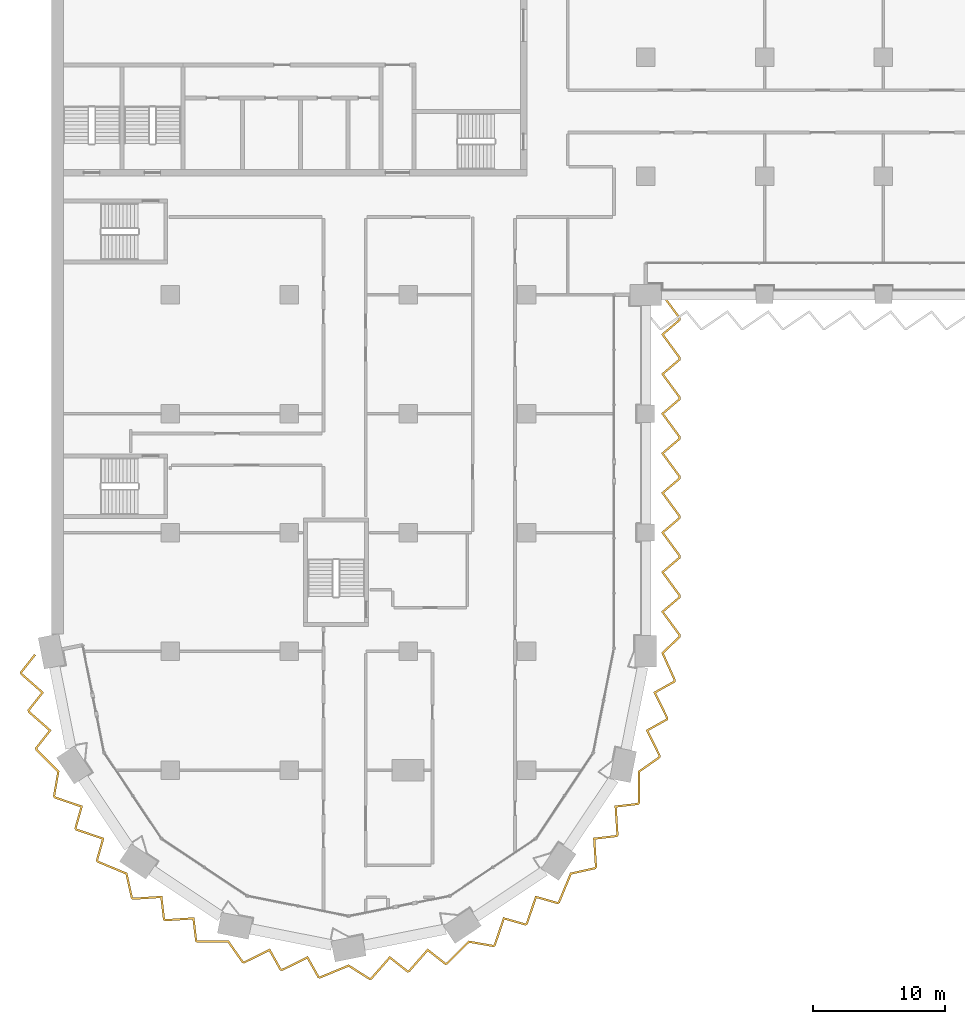
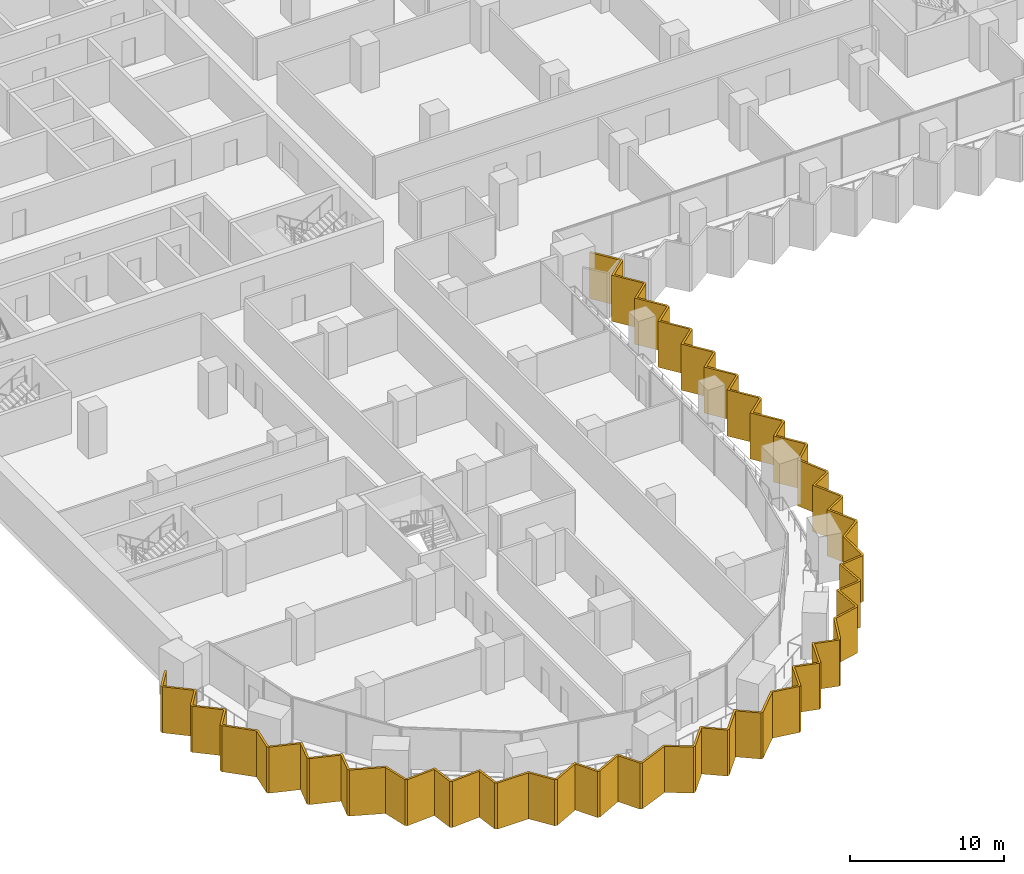
# One storey, part 23 of 28: 1 shading device.
"""IFC4 building model written with IfcOpenShell, lengths in metres."""

from ifc_helpers import new_model, si_unit, direction, frame, origin, place, context, subcontext, project, spatial, polyline, outline, extrude, material, layer, layer_set, type_object, element, save


model = new_model("IFC4")

# Units and contexts
model_context = context("Model", 3, precision=1e-05, world=origin(), true_north=direction((0.0, 1.0)))
body_context = subcontext(model_context, "Body", "Model", "MODEL_VIEW")
ifc_project = project(units=[si_unit("LENGTHUNIT", "METRE"), si_unit("AREAUNIT", "SQUARE_METRE"), si_unit("VOLUMEUNIT", "CUBIC_METRE"), si_unit("PLANEANGLEUNIT", "RADIAN"), si_unit("MASSUNIT", "GRAM", prefix="KILO")], contexts=[model_context])

# Site, building, storey
site_placement = place(None, origin())
site = spatial("IfcSite", under=ifc_project, at=site_placement, CompositionType="ELEMENT")
building_placement = place(site_placement, origin())
building = spatial("IfcBuilding", under=site, at=building_placement, Name="Hunhe Ridgeline Campus", CompositionType="ELEMENT")
storey_placement = place(building_placement, frame((0.0, 0.0, 58.0)))
storey = spatial("IfcBuildingStorey", under=building, at=storey_placement, Name="L13", CompositionType="ELEMENT", Elevation=58.0)

# Shading device
ifc_material = material(Name="Concrete C50", Category="concrete")
ifc_layer = layer(ifc_material, 0.14990234375)
ifc_layer_set = layer_set([ifc_layer], Name="Sawtooth concrete fin 150 Concrete C50")
shading_device_type = type_object("IfcShadingDeviceType", Name="Sawtooth concrete fin 150 Concrete C50", PredefinedType="USERDEFINED", material=ifc_layer_set)
shading_device_placement = place(storey_placement, frame((0.0, 0.0, -0.949951171875)))
element("IfcShadingDevice", 1, at=shading_device_placement, inside=storey, type_object=shading_device_type, Name="Concrete fin screen 1", ObjectType="FIN", PredefinedType="USERDEFINED", context=body_context, shape_type="SweptSolid", body=[
    extrude(outline(polyline([(-1.191650390625, 26.704833984375), (-1.309326171875, 26.797607421875), (-2.389404296875, 25.428955078125), (-2.354248046875, 25.25244140625), (-0.782470703125, 23.871826171875), (-1.818603515625, 22.558837890625), (-1.783447265625, 22.38232421875), (-0.211669921875, 21.001708984375), (-1.24755859375, 19.688720703125), (-1.213134765625, 19.514892578125), (0.43115234375, 17.86669921875), (0.10888671875, 16.02001953125), (0.206298828125, 15.8740234375), (2.186767578125, 15.199951171875), (1.732177734375, 13.590576171875), (1.832275390625, 13.44091796875), (3.812744140625, 12.766845703125), (3.35791015625, 11.157470703125), (3.45654296875, 11.010009765625), (5.606201171875, 10.116455078125), (6.01513671875, 8.287109375), (6.1611328125, 8.189697265625), (8.248779296875, 8.32470703125), (8.444580078125, 6.663818359375), (8.59423828125, 6.563720703125), (10.681884765625, 6.698974609375), (10.877685546875, 5.0380859375), (11.025146484375, 4.939453125), (13.353271484375, 4.936767578125), (14.43115234375, 3.403076171875), (14.603271484375, 3.368896484375), (16.480224609375, 4.29248046875), (17.296875, 2.8330078125), (17.473388671875, 2.7978515625), (19.350341796875, 3.7216796875), (20.1669921875, 2.26220703125), (20.3408203125, 2.2275390625), (22.49267578125, 3.115966796875), (24.075439453125, 2.111572265625), (24.24755859375, 2.145751953125), (25.628173828125, 3.717529296875), (26.941162109375, 2.681396484375), (27.11767578125, 2.716552734375), (28.498291015625, 4.288330078125), (29.811279296875, 3.25244140625), (29.985107421875, 3.286865234375), (31.63330078125, 4.93115234375), (33.47998046875, 4.60888671875), (33.6259765625, 4.706298828125), (34.300048828125, 6.686767578125), (35.909423828125, 6.232177734375), (36.05908203125, 6.332275390625), (36.733154296875, 8.312744140625), (38.342529296875, 7.85791015625), (38.489990234375, 7.95654296875), (39.383544921875, 10.106201171875), (41.212890625, 10.51513671875), (41.310302734375, 10.6611328125), (41.17529296875, 12.748779296875), (42.836181640625, 12.944580078125), (42.936279296875, 13.09423828125), (42.801025390625, 15.181884765625), (44.4619140625, 15.377685546875), (44.560546875, 15.525146484375), (44.563232421875, 17.853271484375), (46.096923828125, 18.93115234375), (46.131103515625, 19.103271484375), (45.20751953125, 20.980224609375), (46.6669921875, 21.796875), (46.7021484375, 21.973388671875), (45.7783203125, 23.850341796875), (47.23779296875, 24.6669921875), (47.272705078125, 24.842041015625), (46.365234375, 26.856689453125), (47.64990234375, 28.0771484375), (47.64990234375, 28.25390625), (46.376708984375, 29.98828125), (47.64990234375, 31.07470703125), (47.64990234375, 31.25390625), (46.376708984375, 32.98828125), (47.64990234375, 34.07470703125), (47.64990234375, 34.25390625), (46.376708984375, 35.98828125), (47.64990234375, 37.07470703125), (47.64990234375, 37.25390625), (46.376708984375, 38.98828125), (47.64990234375, 40.07470703125), (47.64990234375, 40.25390625), (46.376708984375, 41.98828125), (47.64990234375, 43.07470703125), (47.64990234375, 43.25390625), (46.376708984375, 44.98828125), (47.64990234375, 46.07470703125), (47.64990234375, 46.25390625), (46.376708984375, 47.98828125), (47.64990234375, 49.07470703125), (47.64990234375, 49.25390625), (46.376708984375, 50.98828125), (47.64990234375, 52.07470703125), (47.64990234375, 52.25390625), (46.33544921875, 54.04443359375), (46.214599609375, 53.95556640625), (47.5, 52.204833984375), (47.5, 52.143798828125), (46.17333984375, 51.01171875), (47.5, 49.204833984375), (47.5, 49.143798828125), (46.17333984375, 48.01171875), (47.5, 46.204833984375), (47.5, 46.143798828125), (46.17333984375, 45.01171875), (47.5, 43.204833984375), (47.5, 43.143798828125), (46.17333984375, 42.01171875), (47.5, 40.204833984375), (47.5, 40.143798828125), (46.17333984375, 39.01171875), (47.5, 37.204833984375), (47.5, 37.143798828125), (46.17333984375, 36.01171875), (47.5, 34.204833984375), (47.5, 34.143798828125), (46.17333984375, 33.01171875), (47.5, 31.204833984375), (47.5, 31.143798828125), (46.17333984375, 30.01171875), (47.5, 28.204833984375), (47.5, 28.1416015625), (46.184814453125, 26.89208984375), (47.1162109375, 24.82421875), (47.104248046875, 24.76416015625), (45.580810546875, 23.911865234375), (46.544921875, 21.952880859375), (46.533203125, 21.89404296875), (45.010009765625, 21.041748046875), (45.97412109375, 19.082763671875), (45.96142578125, 19.019287109375), (44.413330078125, 17.93115234375), (44.41064453125, 15.57080078125), (44.375732421875, 15.5185546875), (42.64208984375, 15.314208984375), (42.783203125, 13.13525390625), (42.75, 13.08544921875), (41.016357421875, 12.881103515625), (41.157470703125, 10.7021484375), (41.12158203125, 10.6484375), (39.27490234375, 10.235595703125), (38.368896484375, 8.055908203125), (38.31689453125, 8.021240234375), (36.636962890625, 8.49560546875), (35.93359375, 6.4287109375), (35.883544921875, 6.395263671875), (34.203857421875, 6.869873046875), (33.500244140625, 4.802978515625), (33.446533203125, 4.76708984375), (31.58251953125, 5.09228515625), (29.911376953125, 3.42529296875), (29.849853515625, 3.4130859375), (28.4794921875, 4.494140625), (27.03857421875, 2.853759765625), (26.979736328125, 2.842041015625), (25.609375, 3.92333984375), (24.16845703125, 2.282958984375), (24.105224609375, 2.270263671875), (22.50732421875, 3.2841796875), (20.32568359375, 2.383544921875), (20.26416015625, 2.395751953125), (19.411865234375, 3.919189453125), (17.452880859375, 2.955078125), (17.39404296875, 2.966796875), (16.541748046875, 4.489990234375), (14.582763671875, 3.52587890625), (14.519287109375, 3.53857421875), (13.43115234375, 5.086669921875), (11.07080078125, 5.08935546875), (11.0185546875, 5.124267578125), (10.814208984375, 6.85791015625), (8.63525390625, 6.716796875), (8.58544921875, 6.75), (8.381103515625, 8.483642578125), (6.2021484375, 8.342529296875), (6.1484375, 8.37841796875), (5.735595703125, 10.22509765625), (3.555908203125, 11.131103515625), (3.521240234375, 11.18310546875), (3.99560546875, 12.863037109375), (1.9287109375, 13.56640625), (1.895263671875, 13.616455078125), (2.369873046875, 15.296142578125), (0.302978515625, 15.999755859375), (0.26708984375, 16.053466796875), (0.59228515625, 17.91748046875), (-1.07470703125, 19.588623046875), (-1.0869140625, 19.650146484375), (-0.005859375, 21.0205078125), (-1.646240234375, 22.46142578125), (-1.657958984375, 22.520263671875), (-0.57666015625, 23.890625), (-2.217041015625, 25.33154296875), (-2.228759765625, 25.390380859375), (-1.191650390625, 26.704833984375)])), origin(), (0.0, 0.0, 1.0), 3.64990234375),
])

save(model, "model.ifc")
